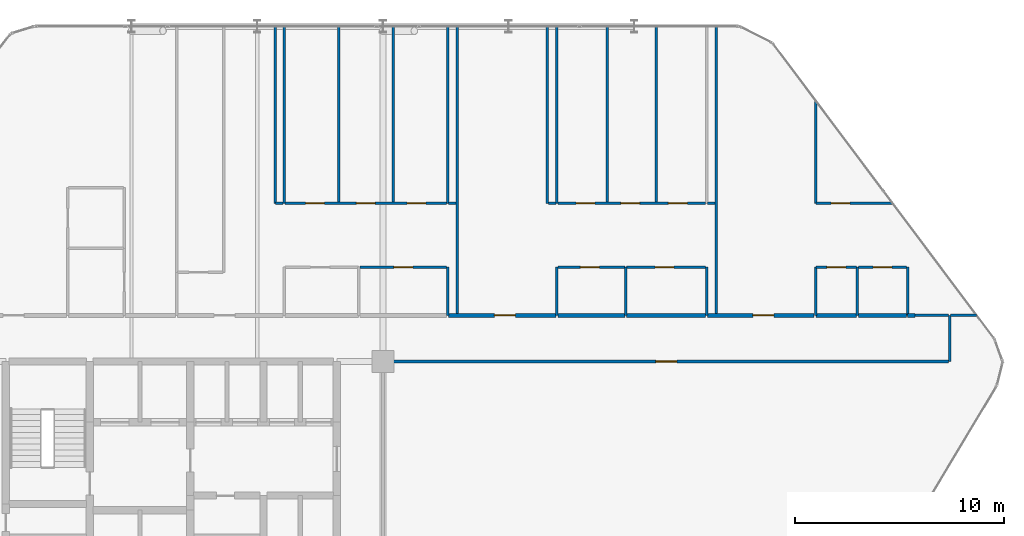
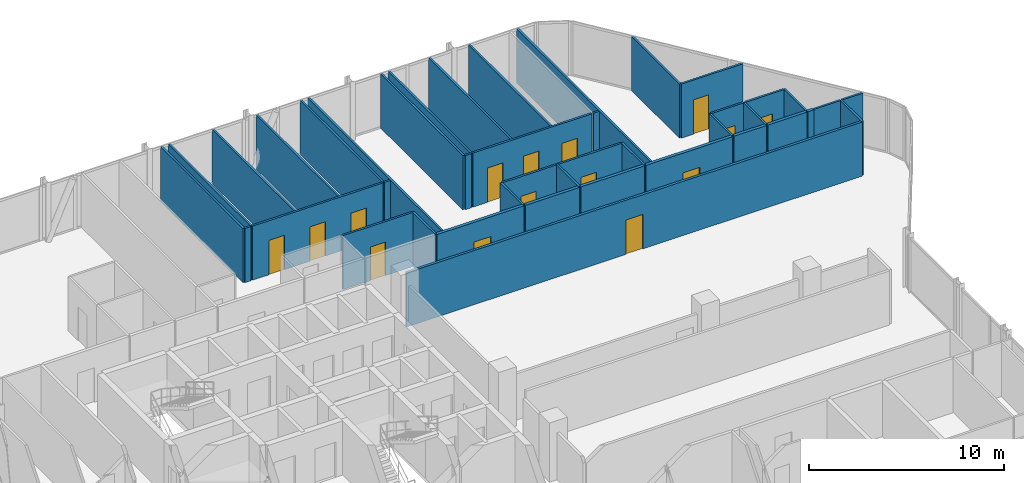
# One storey, part 27 of 29: 42 walls, 15 doors, 15 openings.
"""IFC4 building model written with IfcOpenShell, lengths in metres."""

from ifc_helpers import new_model, si_unit, direction, frame, frame_2d, origin, place, context, subcontext, project, spatial, rectangle, extrude, material, layer, layer_set, type_object, element, fill, save


model = new_model("IFC4")

# Units and contexts
model_context = context("Model", 3, precision=1e-05, world=origin(), true_north=direction((0.0, 1.0)))
body_context = subcontext(model_context, "Body", "Model", "MODEL_VIEW")
ifc_project = project(units=[si_unit("LENGTHUNIT", "METRE"), si_unit("AREAUNIT", "SQUARE_METRE"), si_unit("VOLUMEUNIT", "CUBIC_METRE"), si_unit("PLANEANGLEUNIT", "RADIAN"), si_unit("MASSUNIT", "GRAM", prefix="KILO")], contexts=[model_context])

# Site, building, storey
site_placement = place(None, origin())
site = spatial("IfcSite", under=ifc_project, at=site_placement, CompositionType="ELEMENT")
building_placement = place(site_placement, origin())
building = spatial("IfcBuilding", under=site, at=building_placement, Name="Keshet Zoharim Tower", CompositionType="ELEMENT")
storey_placement = place(building_placement, frame((0.0, 0.0, 105.699951171875)))
storey = spatial("IfcBuildingStorey", under=building, at=storey_placement, Name="L25", CompositionType="ELEMENT", Elevation=105.699951171875)

# Wall, opening, door
ifc_material_1 = material(Name="Gypsum Plasterboard", Category="gypsum")
ifc_layer_1 = layer(ifc_material_1, 0.14990234375)
ifc_layer_set_1 = layer_set([ifc_layer_1], Name="Gypsum Plasterboard")
wall_type_1 = type_object("IfcWallType", Name="WL-CLIN-150", PredefinedType="STANDARD", material=ifc_layer_set_1)
wall_1_placement = place(storey_placement, frame((33.070068359375, 37.89990234375, 0.0), z_axis=(0.0, 0.0, 1.0), x_axis=(1.0, 0.0, 0.0)))
wall_1 = element("IfcWall", 1, at=wall_1_placement, inside=storey, type_object=wall_type_1, Name="L25 Interior Wall 178", PredefinedType="STANDARD", context=body_context, shape_type="SweptSolid", body=[
    extrude(rectangle(XDim=26.934814453125, YDim=0.14990234375, at=frame_2d((13.46728515625, 0.0))), origin(), (0.0, 0.0, 1.0), 3.385009765625),
])
opening_1_placement = place(wall_1_placement, frame((12.9599609375, 0.0, 0.0)))
opening_1 = element("IfcOpeningElement", 2, at=opening_1_placement, cuts=wall_1, Name="Opening D-F310", PredefinedType="OPENING", context=body_context, shape_type="SweptSolid", body=[
    extrude(rectangle(XDim=1.0, YDim=2.14990234375, at=frame_2d((0.5, 1.074951171875))), frame((0.0, 0.0849609375, 0.0), z_axis=(0.0, -1.0, 0.0), x_axis=(1.0, 0.0, 0.0)), (0.0, 0.0, 1.0), 0.169921875),
])
ifc_material_2 = material(Name="Hardwood Timber", Category="wood")
door_type_1 = type_object("IfcDoorType", Name="DR-FD30-100", OperationType="NOTDEFINED", PredefinedType="DOOR", material=ifc_material_2)
door_1_placement = place(opening_1_placement, origin())
door_1 = element("IfcDoor", 3, at=door_1_placement, inside=storey, type_object=door_type_1, Name="L25 North East Residents Services Suite Door 1", OperationType="SINGLE_SWING_LEFT", OverallHeight=2.14990234375, OverallWidth=1.0, PredefinedType="DOOR", context=body_context, shape_type="SweptSolid", body=[
    extrude(rectangle(XDim=1.0, YDim=2.14990234375, at=frame_2d((0.5, 1.074951171875))), frame((0.0, 0.02490234375, 0.0), z_axis=(0.0, -1.0, 0.0), x_axis=(1.0, 0.0, 0.0)), (0.0, 0.0, 1.0), 0.050048828125),
])
fill(opening_1, door_1)

ifc_layer_2 = layer(ifc_material_1, 0.179931640625)
ifc_layer_set_2 = layer_set([ifc_layer_2], Name="Gypsum Plasterboard")
wall_type_2 = type_object("IfcWallType", Name="WL-CORR-180", PredefinedType="STANDARD", material=ifc_layer_set_2)
wall_2_placement = place(storey_placement, frame((36.125, 40.10009765625, 0.0), z_axis=(0.0, 0.0, 1.0), x_axis=(1.0, 0.0, 0.0)))
wall_2 = element("IfcWall", 4, at=wall_2_placement, inside=storey, type_object=wall_type_2, Name="L25 Interior Wall 187", PredefinedType="STANDARD", context=body_context, shape_type="SweptSolid", body=[
    extrude(rectangle(XDim=5.139892578125, YDim=0.179931640625, at=frame_2d((2.56982421875, 0.0))), origin(), (0.0, 0.0, 1.0), 3.385009765625),
])
opening_2_placement = place(wall_2_placement, frame((2.197998046875, 0.0, 0.0)))
opening_2 = element("IfcOpeningElement", 5, at=opening_2_placement, cuts=wall_2, Name="Opening D-F310", PredefinedType="OPENING", context=body_context, shape_type="SweptSolid", body=[
    extrude(rectangle(XDim=1.0, YDim=2.14990234375, at=frame_2d((0.5, 1.074951171875))), frame((0.0, 0.10009765625, 0.0), z_axis=(0.0, -1.0, 0.0), x_axis=(1.0, 0.0, 0.0)), (0.0, 0.0, 1.0), 0.199951171875),
])
door_2_placement = place(opening_2_placement, origin())
door_2 = element("IfcDoor", 6, at=door_2_placement, inside=storey, type_object=door_type_1, Name="Apartment 2506 Entrance Door", OperationType="SINGLE_SWING_RIGHT", OverallHeight=2.14990234375, OverallWidth=1.0, PredefinedType="DOOR", context=body_context, shape_type="SweptSolid", body=[
    extrude(rectangle(XDim=1.0, YDim=2.14990234375, at=frame_2d((0.5, 1.074951171875))), frame((0.0, 0.02490234375, 0.0), z_axis=(0.0, -1.0, 0.0), x_axis=(1.0, 0.0, 0.0)), (0.0, 0.0, 1.0), 0.050048828125),
])
fill(opening_2, door_2)

# Walls
wall_3_placement = place(storey_placement, frame((41.35498046875, 40.10009765625, 0.0), z_axis=(0.0, 0.0, 1.0), x_axis=(1.0, 0.0, 0.0)))
element("IfcWall", 7, at=wall_3_placement, inside=storey, type_object=wall_type_2, Name="L25 Interior Wall 188", PredefinedType="STANDARD", context=body_context, shape_type="SweptSolid", body=[
    extrude(rectangle(XDim=3.18994140625, YDim=0.179931640625, at=frame_2d((1.594970703125, 0.0))), origin(), (0.0, 0.0, 1.0), 3.385009765625),
])
wall_4_placement = place(storey_placement, frame((44.635009765625, 40.10009765625, 0.0), z_axis=(0.0, 0.0, 1.0), x_axis=(1.0, 0.0, 0.0)))
element("IfcWall", 8, at=wall_4_placement, inside=storey, type_object=wall_type_2, Name="L25 Interior Wall 189", PredefinedType="STANDARD", context=body_context, shape_type="SweptSolid", body=[
    extrude(rectangle(XDim=3.760009765625, YDim=0.179931640625, at=frame_2d((1.8798828125, 0.0))), origin(), (0.0, 0.0, 1.0), 3.385009765625),
])

# Wall, opening, door
wall_5_placement = place(storey_placement, frame((48.485107421875, 40.10009765625, 0.0), z_axis=(0.0, 0.0, 1.0), x_axis=(1.0, 0.0, 0.0)))
wall_5 = element("IfcWall", 9, at=wall_5_placement, inside=storey, type_object=wall_type_2, Name="L25 Interior Wall 190", PredefinedType="STANDARD", context=body_context, shape_type="SweptSolid", body=[
    extrude(rectangle(XDim=5.099853515625, YDim=0.179931640625, at=frame_2d((2.5498046875, 0.0))), origin(), (0.0, 0.0, 1.0), 3.385009765625),
])
opening_3_placement = place(wall_5_placement, frame((2.178955078125, 0.0, 0.0)))
opening_3 = element("IfcOpeningElement", 10, at=opening_3_placement, cuts=wall_5, Name="Opening D-F310", PredefinedType="OPENING", context=body_context, shape_type="SweptSolid", body=[
    extrude(rectangle(XDim=1.0, YDim=2.14990234375, at=frame_2d((0.5, 1.074951171875))), frame((0.0, 0.10009765625, 0.0), z_axis=(0.0, -1.0, 0.0), x_axis=(1.0, 0.0, 0.0)), (0.0, 0.0, 1.0), 0.199951171875),
])
door_3_placement = place(opening_3_placement, origin())
door_3 = element("IfcDoor", 11, at=door_3_placement, inside=storey, type_object=door_type_1, Name="Apartment 2507 Entrance Door", OperationType="SINGLE_SWING_LEFT", OverallHeight=2.14990234375, OverallWidth=1.0, PredefinedType="DOOR", context=body_context, shape_type="SweptSolid", body=[
    extrude(rectangle(XDim=1.0, YDim=2.14990234375, at=frame_2d((0.5, 1.074951171875))), frame((0.0, 0.02490234375, 0.0), z_axis=(0.0, -1.0, 0.0), x_axis=(1.0, 0.0, 0.0)), (0.0, 0.0, 1.0), 0.050048828125),
])
fill(opening_3, door_3)

# Walls
wall_6_placement = place(storey_placement, frame((53.675048828125, 40.10009765625, 0.0), z_axis=(0.0, 0.0, 1.0), x_axis=(1.0, 0.0, 0.0)))
element("IfcWall", 12, at=wall_6_placement, inside=storey, type_object=wall_type_2, Name="L25 Interior Wall 191", PredefinedType="STANDARD", context=body_context, shape_type="SweptSolid", body=[
    extrude(rectangle(XDim=1.93798828125, YDim=0.179931640625, at=frame_2d((0.968994140625, 0.0))), origin(), (0.0, 0.0, 1.0), 3.385009765625),
])
wall_7_placement = place(storey_placement, frame((55.702880859375, 40.10009765625, 0.0), z_axis=(0.0, 0.0, 1.0), x_axis=(1.0, 0.0, 0.0)))
element("IfcWall", 13, at=wall_7_placement, inside=storey, type_object=wall_type_2, Name="L25 Interior Wall 192", PredefinedType="STANDARD", context=body_context, shape_type="SweptSolid", body=[
    extrude(rectangle(XDim=2.2900390625, YDim=0.179931640625, at=frame_2d((1.14501953125, 0.0))), origin(), (0.0, 0.0, 1.0), 3.385009765625),
])
wall_8_placement = place(storey_placement, frame((58.050048828125, 40.10009765625, 0.0), z_axis=(0.0, 0.0, 1.0), x_axis=(1.0, 0.0, 0.0)))
element("IfcWall", 14, at=wall_8_placement, inside=storey, type_object=wall_type_2, Name="L25 Interior Wall 193", PredefinedType="STANDARD", context=body_context, shape_type="SweptSolid", body=[
    extrude(rectangle(XDim=0.349853515625, YDim=0.179931640625, at=frame_2d((0.1748046875, 0.0))), origin(), (0.0, 0.0, 1.0), 3.385009765625),
])
ifc_layer_3 = layer(ifc_material_1, 0.1201171875)
ifc_layer_set_3 = layer_set([ifc_layer_3], Name="Gypsum Plasterboard")
wall_type_3 = type_object("IfcWallType", Name="WL-PART-120", PredefinedType="PARTITIONING", material=ifc_layer_set_3)
for number, where, z_axis, x_axis, name in (
    (15, (27.85009765625, 45.449951171875, 0.0), (0.0, 0.0, 1.0), (0.0, 1.0, 0.0), "L25 Interior Wall 052"),
    (16, (28.300048828125, 45.449951171875, 0.0), (0.0, 0.0, 1.0), (0.0, 1.0, 0.0), "L25 Interior Wall 054"),
    (17, (30.89990234375, 45.449951171875, 0.0), (0.0, 0.0, 1.0), (0.0, 1.0, 0.0), "L25 Interior Wall 065"),
    (18, (33.5, 45.449951171875, 0.0), (0.0, 0.0, 1.0), (0.0, 1.0, 0.0), "L25 Interior Wall 072"),
    (19, (36.10009765625, 45.449951171875, 0.0), (0.0, 0.0, 1.0), (0.0, 1.0, 0.0), "L25 Interior Wall 076"),
):
    element("IfcWall", number, at=place(storey_placement, frame(where, z_axis=z_axis, x_axis=x_axis)), inside=storey, type_object=wall_type_3, Name=name, PredefinedType="PARTITIONING", context=body_context, shape_type="SweptSolid", body=[
        extrude(rectangle(XDim=8.43994140625, YDim=0.1201171875, at=frame_2d((4.219970703125, 0.0))), origin(), (0.0, 0.0, 1.0), 3.385009765625),
    ])
wall_9_placement = place(storey_placement, frame((36.550048828125, 40.10009765625, 0.0), z_axis=(0.0, 0.0, 1.0), x_axis=(0.0, 1.0, 0.0)))
element("IfcWall", 20, at=wall_9_placement, inside=storey, type_object=wall_type_3, Name="L25 Interior Wall 077", PredefinedType="PARTITIONING", context=body_context, shape_type="SweptSolid", body=[
    extrude(rectangle(XDim=13.789794921875, YDim=0.1201171875, at=frame_2d((6.89501953125, 0.0))), origin(), (0.0, 0.0, 1.0), 3.385009765625),
])
wall_10_placement = place(storey_placement, frame((40.85009765625, 45.449951171875, 0.0), z_axis=(0.0, 0.0, 1.0), x_axis=(0.0, 1.0, 0.0)))
element("IfcWall", 21, at=wall_10_placement, inside=storey, type_object=wall_type_3, Name="L25 Interior Wall 082", PredefinedType="PARTITIONING", context=body_context, shape_type="SweptSolid", body=[
    extrude(rectangle(XDim=8.43994140625, YDim=0.1201171875, at=frame_2d((4.219970703125, 0.0))), origin(), (0.0, 0.0, 1.0), 3.385009765625),
])
wall_11_placement = place(storey_placement, frame((41.300048828125, 40.10009765625, 0.0), z_axis=(0.0, 0.0, 1.0), x_axis=(0.0, 1.0, 0.0)))
element("IfcWall", 22, at=wall_11_placement, inside=storey, type_object=wall_type_3, Name="L25 Interior Wall 086", PredefinedType="PARTITIONING", context=body_context, shape_type="SweptSolid", body=[
    extrude(rectangle(XDim=2.2998046875, YDim=0.1201171875, at=frame_2d((1.14990234375, 0.0))), origin(), (0.0, 0.0, 1.0), 3.385009765625),
])
for number, where, z_axis, x_axis, name in (
    (23, (41.300048828125, 45.449951171875, 0.0), (0.0, 0.0, 1.0), (0.0, 1.0, 0.0), "L25 Interior Wall 087"),
    (24, (43.699951171875, 45.449951171875, 0.0), (0.0, 0.0, 1.0), (0.0, 1.0, 0.0), "L25 Interior Wall 089"),
    (25, (46.050048828125, 45.449951171875, 0.0), (0.0, 0.0, 1.0), (0.0, 1.0, 0.0), "L25 Interior Wall 092"),
):
    element("IfcWall", number, at=place(storey_placement, frame(where, z_axis=z_axis, x_axis=x_axis)), inside=storey, type_object=wall_type_3, Name=name, PredefinedType="PARTITIONING", context=body_context, shape_type="SweptSolid", body=[
        extrude(rectangle(XDim=8.43994140625, YDim=0.1201171875, at=frame_2d((4.219970703125, 0.0))), origin(), (0.0, 0.0, 1.0), 3.385009765625),
    ])
wall_12_placement = place(storey_placement, frame((48.89990234375, 40.10009765625, 0.0), z_axis=(0.0, 0.0, 1.0), x_axis=(0.0, 1.0, 0.0)))
element("IfcWall", 26, at=wall_12_placement, inside=storey, type_object=wall_type_3, Name="L25 Interior Wall 098", PredefinedType="PARTITIONING", context=body_context, shape_type="SweptSolid", body=[
    extrude(rectangle(XDim=13.789794921875, YDim=0.1201171875, at=frame_2d((6.89501953125, 0.0))), origin(), (0.0, 0.0, 1.0), 3.385009765625),
])
wall_13_placement = place(storey_placement, frame((53.64990234375, 40.10009765625, 0.0), z_axis=(0.0, 0.0, 1.0), x_axis=(0.0, 1.0, 0.0)))
element("IfcWall", 27, at=wall_13_placement, inside=storey, type_object=wall_type_3, Name="L25 Interior Wall 102", PredefinedType="PARTITIONING", context=body_context, shape_type="SweptSolid", body=[
    extrude(rectangle(XDim=2.2998046875, YDim=0.1201171875, at=frame_2d((1.14990234375, 0.0))), origin(), (0.0, 0.0, 1.0), 3.385009765625),
])
wall_14_placement = place(storey_placement, frame((53.64990234375, 45.449951171875, 0.0), z_axis=(0.0, 0.0, 1.0), x_axis=(0.0, 1.0, 0.0)))
element("IfcWall", 28, at=wall_14_placement, inside=storey, type_object=wall_type_3, Name="L25 Interior Wall 103", PredefinedType="PARTITIONING", context=body_context, shape_type="SweptSolid", body=[
    extrude(rectangle(XDim=4.906982421875, YDim=0.1201171875, at=frame_2d((2.45361328125, 0.0))), origin(), (0.0, 0.0, 1.0), 3.385009765625),
])
wall_15_placement = place(storey_placement, frame((60.050048828125, 37.889892578125, 0.0), z_axis=(0.0, 0.0, 1.0), x_axis=(0.0, 1.0, 0.0)))
element("IfcWall", 29, at=wall_15_placement, inside=storey, type_object=wall_type_3, Name="L25 Interior Wall 110", PredefinedType="PARTITIONING", context=body_context, shape_type="SweptSolid", body=[
    extrude(rectangle(XDim=2.2001953125, YDim=0.1201171875, at=frame_2d((1.10009765625, 0.0))), origin(), (0.0, 0.0, 1.0), 3.385009765625),
])
wall_16_placement = place(storey_placement, frame((58.39990234375, 40.10009765625, 0.0), z_axis=(0.0, 0.0, 1.0), x_axis=(1.0, 0.0, 0.0)))
element("IfcWall", 30, at=wall_16_placement, inside=storey, type_object=wall_type_3, Name="L25 Interior Wall 194", PredefinedType="PARTITIONING", context=body_context, shape_type="SweptSolid", body=[
    extrude(rectangle(XDim=1.60498046875, YDim=0.1201171875, at=frame_2d((0.802490234375, 0.0))), origin(), (0.0, 0.0, 1.0), 3.385009765625),
])
wall_17_placement = place(storey_placement, frame((60.094970703125, 40.10009765625, 0.0), z_axis=(0.0, 0.0, 1.0), x_axis=(1.0, 0.0, 0.0)))
element("IfcWall", 31, at=wall_17_placement, inside=storey, type_object=wall_type_3, Name="L25 Interior Wall 195", PredefinedType="PARTITIONING", context=body_context, shape_type="SweptSolid", body=[
    extrude(rectangle(XDim=1.2451171875, YDim=0.1201171875, at=frame_2d((0.62255859375, 0.0))), origin(), (0.0, 0.0, 1.0), 3.385009765625),
])

# Wall, opening, door
wall_18_placement = place(storey_placement, frame((41.35498046875, 42.39990234375, 0.0), z_axis=(0.0, 0.0, 1.0), x_axis=(1.0, 0.0, 0.0)))
wall_18 = element("IfcWall", 32, at=wall_18_placement, inside=storey, type_object=wall_type_3, Name="L25 Interior Wall 199", PredefinedType="PARTITIONING", context=body_context, shape_type="SweptSolid", body=[
    extrude(rectangle(XDim=3.18994140625, YDim=0.1201171875, at=frame_2d((1.594970703125, 0.0))), origin(), (0.0, 0.0, 1.0), 3.385009765625),
])
opening_4_placement = place(wall_18_placement, frame((1.072998046875, 0.0, 0.0)))
opening_4 = element("IfcOpeningElement", 33, at=opening_4_placement, cuts=wall_18, Name="Opening D-IN90", PredefinedType="OPENING", context=body_context, shape_type="SweptSolid", body=[
    extrude(rectangle(XDim=0.89990234375, YDim=2.14990234375, at=frame_2d((0.449951171875, 1.074951171875))), frame((0.0, 0.070068359375, 0.0), z_axis=(0.0, -1.0, 0.0), x_axis=(1.0, 0.0, 0.0)), (0.0, 0.0, 1.0), 0.14013671875),
])
door_type_2 = type_object("IfcDoorType", Name="DR-INT-090", OperationType="NOTDEFINED", PredefinedType="DOOR", material=ifc_material_2)
door_4_placement = place(opening_4_placement, origin())
door_4 = element("IfcDoor", 34, at=door_4_placement, inside=storey, type_object=door_type_2, Name="Apartment 2506 Kitchen Door", OperationType="SINGLE_SWING_LEFT", OverallHeight=2.14990234375, OverallWidth=0.89990234375, PredefinedType="DOOR", context=body_context, shape_type="SweptSolid", body=[
    extrude(rectangle(XDim=0.89990234375, YDim=2.14990234375, at=frame_2d((0.449951171875, 1.074951171875))), frame((0.0, 0.02490234375, 0.0), z_axis=(0.0, -1.0, 0.0), x_axis=(1.0, 0.0, 0.0)), (0.0, 0.0, 1.0), 0.050048828125),
])
fill(opening_4, door_4)

wall_19_placement = place(storey_placement, frame((53.675048828125, 42.39990234375, 0.0), z_axis=(0.0, 0.0, 1.0), x_axis=(1.0, 0.0, 0.0)))
wall_19 = element("IfcWall", 35, at=wall_19_placement, inside=storey, type_object=wall_type_3, Name="L25 Interior Wall 201", PredefinedType="PARTITIONING", context=body_context, shape_type="SweptSolid", body=[
    extrude(rectangle(XDim=1.93798828125, YDim=0.1201171875, at=frame_2d((0.968994140625, 0.0))), origin(), (0.0, 0.0, 1.0), 3.385009765625),
])
opening_5_placement = place(wall_19_placement, frame((0.51904296875, 0.0, 0.0)))
opening_5 = element("IfcOpeningElement", 36, at=opening_5_placement, cuts=wall_19, Name="Opening D-IN90", PredefinedType="OPENING", context=body_context, shape_type="SweptSolid", body=[
    extrude(rectangle(XDim=0.89990234375, YDim=2.14990234375, at=frame_2d((0.449951171875, 1.074951171875))), frame((0.0, 0.070068359375, 0.0), z_axis=(0.0, -1.0, 0.0), x_axis=(1.0, 0.0, 0.0)), (0.0, 0.0, 1.0), 0.14013671875),
])
door_5_placement = place(opening_5_placement, origin())
door_5 = element("IfcDoor", 37, at=door_5_placement, inside=storey, type_object=door_type_2, Name="Apartment 2507 Kitchen Door", OperationType="SINGLE_SWING_LEFT", OverallHeight=2.14990234375, OverallWidth=0.89990234375, PredefinedType="DOOR", context=body_context, shape_type="SweptSolid", body=[
    extrude(rectangle(XDim=0.89990234375, YDim=2.14990234375, at=frame_2d((0.449951171875, 1.074951171875))), frame((0.0, 0.02490234375, 0.0), z_axis=(0.0, -1.0, 0.0), x_axis=(1.0, 0.0, 0.0)), (0.0, 0.0, 1.0), 0.050048828125),
])
fill(opening_5, door_5)

# Wall
wall_20_placement = place(storey_placement, frame((27.875, 45.449951171875, 0.0), z_axis=(0.0, 0.0, 1.0), x_axis=(1.0, 0.0, 0.0)))
element("IfcWall", 38, at=wall_20_placement, inside=storey, type_object=wall_type_3, Name="L25 Interior Wall 204", PredefinedType="PARTITIONING", context=body_context, shape_type="SweptSolid", body=[
    extrude(rectangle(XDim=0.360107421875, YDim=0.1201171875, at=frame_2d((0.18017578125, 0.0))), origin(), (0.0, 0.0, 1.0), 3.385009765625),
])

# Wall, openings, doors
wall_21_placement = place(storey_placement, frame((28.324951171875, 45.449951171875, 0.0), z_axis=(0.0, 0.0, 1.0), x_axis=(1.0, 0.0, 0.0)))
wall_21 = element("IfcWall", 39, at=wall_21_placement, inside=storey, type_object=wall_type_3, Name="L25 Interior Wall 205", PredefinedType="PARTITIONING", context=body_context, shape_type="SweptSolid", body=[
    extrude(rectangle(XDim=7.7099609375, YDim=0.1201171875, at=frame_2d((3.85498046875, 0.0))), origin(), (0.0, 0.0, 1.0), 3.385009765625),
])
opening_6_placement = place(wall_21_placement, frame((0.97998046875, 0.0, 0.0)))
opening_6 = element("IfcOpeningElement", 40, at=opening_6_placement, cuts=wall_21, Name="Opening D-IN90", PredefinedType="OPENING", context=body_context, shape_type="SweptSolid", body=[
    extrude(rectangle(XDim=0.89990234375, YDim=2.14990234375, at=frame_2d((0.449951171875, 1.074951171875))), frame((0.0, 0.070068359375, 0.0), z_axis=(0.0, -1.0, 0.0), x_axis=(1.0, 0.0, 0.0)), (0.0, 0.0, 1.0), 0.14013671875),
])
opening_7_placement = place(wall_21_placement, frame((3.405029296875, 0.0, 0.0)))
opening_7 = element("IfcOpeningElement", 41, at=opening_7_placement, cuts=wall_21, Name="Opening D-IN90", PredefinedType="OPENING", context=body_context, shape_type="SweptSolid", body=[
    extrude(rectangle(XDim=0.89990234375, YDim=2.14990234375, at=frame_2d((0.449951171875, 1.074951171875))), frame((0.0, 0.070068359375, 0.0), z_axis=(0.0, -1.0, 0.0), x_axis=(1.0, 0.0, 0.0)), (0.0, 0.0, 1.0), 0.14013671875),
])
opening_8_placement = place(wall_21_placement, frame((5.830078125, 0.0, 0.0)))
opening_8 = element("IfcOpeningElement", 42, at=opening_8_placement, cuts=wall_21, Name="Opening D-IN90", PredefinedType="OPENING", context=body_context, shape_type="SweptSolid", body=[
    extrude(rectangle(XDim=0.89990234375, YDim=2.14990234375, at=frame_2d((0.449951171875, 1.074951171875))), frame((0.0, 0.070068359375, 0.0), z_axis=(0.0, -1.0, 0.0), x_axis=(1.0, 0.0, 0.0)), (0.0, 0.0, 1.0), 0.14013671875),
])
door_6_placement = place(opening_6_placement, origin())
door_6 = element("IfcDoor", 43, at=door_6_placement, inside=storey, type_object=door_type_2, Name="Apartment 2505 Bedroom 1 Door", OperationType="SINGLE_SWING_LEFT", OverallHeight=2.14990234375, OverallWidth=0.89990234375, PredefinedType="DOOR", context=body_context, shape_type="SweptSolid", body=[
    extrude(rectangle(XDim=0.89990234375, YDim=2.14990234375, at=frame_2d((0.449951171875, 1.074951171875))), frame((0.0, 0.02490234375, 0.0), z_axis=(0.0, -1.0, 0.0), x_axis=(1.0, 0.0, 0.0)), (0.0, 0.0, 1.0), 0.050048828125),
])
fill(opening_6, door_6)
door_7_placement = place(opening_7_placement, origin())
door_7 = element("IfcDoor", 44, at=door_7_placement, inside=storey, type_object=door_type_2, Name="Apartment 2505 Bedroom 2 Door", OperationType="SINGLE_SWING_RIGHT", OverallHeight=2.14990234375, OverallWidth=0.89990234375, PredefinedType="DOOR", context=body_context, shape_type="SweptSolid", body=[
    extrude(rectangle(XDim=0.89990234375, YDim=2.14990234375, at=frame_2d((0.449951171875, 1.074951171875))), frame((0.0, 0.02490234375, 0.0), z_axis=(0.0, -1.0, 0.0), x_axis=(1.0, 0.0, 0.0)), (0.0, 0.0, 1.0), 0.050048828125),
])
fill(opening_7, door_7)
door_8_placement = place(opening_8_placement, origin())
door_8 = element("IfcDoor", 45, at=door_8_placement, inside=storey, type_object=door_type_2, Name="Apartment 2505 Bedroom 3 Door", OperationType="SINGLE_SWING_LEFT", OverallHeight=2.14990234375, OverallWidth=0.89990234375, PredefinedType="DOOR", context=body_context, shape_type="SweptSolid", body=[
    extrude(rectangle(XDim=0.89990234375, YDim=2.14990234375, at=frame_2d((0.449951171875, 1.074951171875))), frame((0.0, 0.02490234375, 0.0), z_axis=(0.0, -1.0, 0.0), x_axis=(1.0, 0.0, 0.0)), (0.0, 0.0, 1.0), 0.050048828125),
])
fill(opening_8, door_8)

# Walls
wall_22_placement = place(storey_placement, frame((36.125, 45.449951171875, 0.0), z_axis=(0.0, 0.0, 1.0), x_axis=(1.0, 0.0, 0.0)))
element("IfcWall", 46, at=wall_22_placement, inside=storey, type_object=wall_type_3, Name="L25 Interior Wall 206", PredefinedType="PARTITIONING", context=body_context, shape_type="SweptSolid", body=[
    extrude(rectangle(XDim=0.360107421875, YDim=0.1201171875, at=frame_2d((0.18017578125, 0.0))), origin(), (0.0, 0.0, 1.0), 3.385009765625),
])
wall_23_placement = place(storey_placement, frame((40.905029296875, 45.449951171875, 0.0), z_axis=(0.0, 0.0, 1.0), x_axis=(1.0, 0.0, 0.0)))
element("IfcWall", 47, at=wall_23_placement, inside=storey, type_object=wall_type_3, Name="L25 Interior Wall 207", PredefinedType="PARTITIONING", context=body_context, shape_type="SweptSolid", body=[
    extrude(rectangle(XDim=0.35986328125, YDim=0.1201171875, at=frame_2d((0.179931640625, 0.0))), origin(), (0.0, 0.0, 1.0), 3.385009765625),
])

# Wall, openings, doors
wall_24_placement = place(storey_placement, frame((41.35498046875, 45.449951171875, 0.0), z_axis=(0.0, 0.0, 1.0), x_axis=(1.0, 0.0, 0.0)))
wall_24 = element("IfcWall", 48, at=wall_24_placement, inside=storey, type_object=wall_type_3, Name="L25 Interior Wall 208", PredefinedType="PARTITIONING", context=body_context, shape_type="SweptSolid", body=[
    extrude(rectangle(XDim=7.0400390625, YDim=0.1201171875, at=frame_2d((3.52001953125, 0.0))), origin(), (0.0, 0.0, 1.0), 3.385009765625),
])
opening_9_placement = place(wall_24_placement, frame((0.867919921875, 0.0, 0.0)))
opening_9 = element("IfcOpeningElement", 49, at=opening_9_placement, cuts=wall_24, Name="Opening D-IN90", PredefinedType="OPENING", context=body_context, shape_type="SweptSolid", body=[
    extrude(rectangle(XDim=0.89990234375, YDim=2.14990234375, at=frame_2d((0.449951171875, 1.074951171875))), frame((0.0, 0.070068359375, 0.0), z_axis=(0.0, -1.0, 0.0), x_axis=(1.0, 0.0, 0.0)), (0.0, 0.0, 1.0), 0.14013671875),
])
opening_10_placement = place(wall_24_placement, frame((2.9990234375, 0.0, 0.0)))
opening_10 = element("IfcOpeningElement", 50, at=opening_10_placement, cuts=wall_24, Name="Opening D-IN90", PredefinedType="OPENING", context=body_context, shape_type="SweptSolid", body=[
    extrude(rectangle(XDim=0.89990234375, YDim=2.14990234375, at=frame_2d((0.449951171875, 1.074951171875))), frame((0.0, 0.070068359375, 0.0), z_axis=(0.0, -1.0, 0.0), x_axis=(1.0, 0.0, 0.0)), (0.0, 0.0, 1.0), 0.14013671875),
])
opening_11_placement = place(wall_24_placement, frame((5.27197265625, 0.0, 0.0)))
opening_11 = element("IfcOpeningElement", 51, at=opening_11_placement, cuts=wall_24, Name="Opening D-IN90", PredefinedType="OPENING", context=body_context, shape_type="SweptSolid", body=[
    extrude(rectangle(XDim=0.89990234375, YDim=2.14990234375, at=frame_2d((0.449951171875, 1.074951171875))), frame((0.0, 0.070068359375, 0.0), z_axis=(0.0, -1.0, 0.0), x_axis=(1.0, 0.0, 0.0)), (0.0, 0.0, 1.0), 0.14013671875),
])
door_9_placement = place(opening_9_placement, origin())
door_9 = element("IfcDoor", 52, at=door_9_placement, inside=storey, type_object=door_type_2, Name="Apartment 2506 Bedroom 1 Door", OperationType="SINGLE_SWING_RIGHT", OverallHeight=2.14990234375, OverallWidth=0.89990234375, PredefinedType="DOOR", context=body_context, shape_type="SweptSolid", body=[
    extrude(rectangle(XDim=0.89990234375, YDim=2.14990234375, at=frame_2d((0.449951171875, 1.074951171875))), frame((0.0, 0.02490234375, 0.0), z_axis=(0.0, -1.0, 0.0), x_axis=(1.0, 0.0, 0.0)), (0.0, 0.0, 1.0), 0.050048828125),
])
fill(opening_9, door_9)
door_10_placement = place(opening_10_placement, origin())
door_10 = element("IfcDoor", 53, at=door_10_placement, inside=storey, type_object=door_type_2, Name="Apartment 2506 Bedroom 2 Door", OperationType="SINGLE_SWING_LEFT", OverallHeight=2.14990234375, OverallWidth=0.89990234375, PredefinedType="DOOR", context=body_context, shape_type="SweptSolid", body=[
    extrude(rectangle(XDim=0.89990234375, YDim=2.14990234375, at=frame_2d((0.449951171875, 1.074951171875))), frame((0.0, 0.02490234375, 0.0), z_axis=(0.0, -1.0, 0.0), x_axis=(1.0, 0.0, 0.0)), (0.0, 0.0, 1.0), 0.050048828125),
])
fill(opening_10, door_10)
door_11_placement = place(opening_11_placement, origin())
door_11 = element("IfcDoor", 54, at=door_11_placement, inside=storey, type_object=door_type_2, Name="Apartment 2506 Bedroom 3 Door", OperationType="SINGLE_SWING_RIGHT", OverallHeight=2.14990234375, OverallWidth=0.89990234375, PredefinedType="DOOR", context=body_context, shape_type="SweptSolid", body=[
    extrude(rectangle(XDim=0.89990234375, YDim=2.14990234375, at=frame_2d((0.449951171875, 1.074951171875))), frame((0.0, 0.02490234375, 0.0), z_axis=(0.0, -1.0, 0.0), x_axis=(1.0, 0.0, 0.0)), (0.0, 0.0, 1.0), 0.050048828125),
])
fill(opening_11, door_11)

# Wall
wall_25_placement = place(storey_placement, frame((48.485107421875, 45.449951171875, 0.0), z_axis=(0.0, 0.0, 1.0), x_axis=(1.0, 0.0, 0.0)))
element("IfcWall", 55, at=wall_25_placement, inside=storey, type_object=wall_type_3, Name="L25 Interior Wall 209", PredefinedType="PARTITIONING", context=body_context, shape_type="SweptSolid", body=[
    extrude(rectangle(XDim=0.35986328125, YDim=0.1201171875, at=frame_2d((0.179931640625, 0.0))), origin(), (0.0, 0.0, 1.0), 3.385009765625),
])

# Wall, opening, door
wall_26_placement = place(storey_placement, frame((53.675048828125, 45.449951171875, 0.0), z_axis=(0.0, 0.0, 1.0), x_axis=(1.0, 0.0, 0.0)))
wall_26 = element("IfcWall", 56, at=wall_26_placement, inside=storey, type_object=wall_type_3, Name="L25 Interior Wall 210", PredefinedType="PARTITIONING", context=body_context, shape_type="SweptSolid", body=[
    extrude(rectangle(XDim=3.65283203125, YDim=0.1201171875, at=frame_2d((1.826416015625, 0.0))), origin(), (0.0, 0.0, 1.0), 3.385009765625),
])
opening_12_placement = place(wall_26_placement, frame((0.715087890625, 0.0, 0.0)))
opening_12 = element("IfcOpeningElement", 57, at=opening_12_placement, cuts=wall_26, Name="Opening D-IN90", PredefinedType="OPENING", context=body_context, shape_type="SweptSolid", body=[
    extrude(rectangle(XDim=0.89990234375, YDim=2.14990234375, at=frame_2d((0.449951171875, 1.074951171875))), frame((0.0, 0.070068359375, 0.0), z_axis=(0.0, -1.0, 0.0), x_axis=(1.0, 0.0, 0.0)), (0.0, 0.0, 1.0), 0.14013671875),
])
door_12_placement = place(opening_12_placement, origin())
door_12 = element("IfcDoor", 58, at=door_12_placement, inside=storey, type_object=door_type_2, Name="Apartment 2507 Bedroom 1 Door", OperationType="SINGLE_SWING_LEFT", OverallHeight=2.14990234375, OverallWidth=0.89990234375, PredefinedType="DOOR", context=body_context, shape_type="SweptSolid", body=[
    extrude(rectangle(XDim=0.89990234375, YDim=2.14990234375, at=frame_2d((0.449951171875, 1.074951171875))), frame((0.0, 0.02490234375, 0.0), z_axis=(0.0, -1.0, 0.0), x_axis=(1.0, 0.0, 0.0)), (0.0, 0.0, 1.0), 0.050048828125),
])
fill(opening_12, door_12)

# Walls
ifc_layer_4 = layer(ifc_material_1, 0.1201171875)
ifc_layer_set_4 = layer_set([ifc_layer_4], Name="Gypsum Plasterboard")
wall_type_4 = type_object("IfcWallType", Name="WL-WET-120", PredefinedType="PARTITIONING", material=ifc_layer_set_4)
for number, where, z_axis, x_axis, name in (
    (59, (36.10009765625, 40.10009765625, 0.0), (0.0, 0.0, 1.0), (0.0, 1.0, 0.0), "L25 Interior Wall 075"),
    (60, (44.60009765625, 40.10009765625, 0.0), (0.0, 0.0, 1.0), (0.0, 1.0, 0.0), "L25 Interior Wall 090"),
    (61, (48.449951171875, 40.10009765625, 0.0), (0.0, 0.0, 1.0), (0.0, 1.0, 0.0), "L25 Interior Wall 095"),
    (62, (55.64990234375, 40.10009765625, 0.0), (0.0, 0.0, 1.0), (0.0, 1.0, 0.0), "L25 Interior Wall 107"),
    (63, (58.050048828125, 40.10009765625, 0.0), (0.0, 0.0, 1.0), (0.0, 1.0, 0.0), "L25 Interior Wall 109"),
):
    element("IfcWall", number, at=place(storey_placement, frame(where, z_axis=z_axis, x_axis=x_axis)), inside=storey, type_object=wall_type_4, Name=name, PredefinedType="PARTITIONING", context=body_context, shape_type="SweptSolid", body=[
        extrude(rectangle(XDim=2.2998046875, YDim=0.1201171875, at=frame_2d((1.14990234375, 0.0))), origin(), (0.0, 0.0, 1.0), 3.385009765625),
    ])

# Wall, opening, door
wall_27_placement = place(storey_placement, frame((31.9130859375, 42.39990234375, 0.0), z_axis=(0.0, 0.0, 1.0), x_axis=(1.0, 0.0, 0.0)))
wall_27 = element("IfcWall", 64, at=wall_27_placement, inside=storey, type_object=wall_type_4, Name="L25 Interior Wall 198", PredefinedType="PARTITIONING", context=body_context, shape_type="SweptSolid", body=[
    extrude(rectangle(XDim=4.121826171875, YDim=0.1201171875, at=frame_2d((2.06103515625, 0.0))), origin(), (0.0, 0.0, 1.0), 3.385009765625),
])
opening_13_placement = place(wall_27_placement, frame((1.611083984375, 0.0, 0.0)))
opening_13 = element("IfcOpeningElement", 65, at=opening_13_placement, cuts=wall_27, Name="Opening D-WT90", PredefinedType="OPENING", context=body_context, shape_type="SweptSolid", body=[
    extrude(rectangle(XDim=0.89990234375, YDim=2.10009765625, at=frame_2d((0.449951171875, 1.050048828125))), frame((0.0, 0.070068359375, 0.0), z_axis=(0.0, -1.0, 0.0), x_axis=(1.0, 0.0, 0.0)), (0.0, 0.0, 1.0), 0.14013671875),
])
door_type_3 = type_object("IfcDoorType", Name="DR-WET-090", OperationType="NOTDEFINED", PredefinedType="DOOR", material=ifc_material_2)
door_13_placement = place(opening_13_placement, origin())
door_13 = element("IfcDoor", 66, at=door_13_placement, inside=storey, type_object=door_type_3, Name="Apartment 2505 Bathroom Door", OperationType="SINGLE_SWING_RIGHT", OverallHeight=2.10009765625, OverallWidth=0.89990234375, PredefinedType="DOOR", context=body_context, shape_type="SweptSolid", body=[
    extrude(rectangle(XDim=0.89990234375, YDim=2.10009765625, at=frame_2d((0.449951171875, 1.050048828125))), frame((0.0, 0.02490234375, 0.0), z_axis=(0.0, -1.0, 0.0), x_axis=(1.0, 0.0, 0.0)), (0.0, 0.0, 1.0), 0.050048828125),
])
fill(opening_13, door_13)

wall_28_placement = place(storey_placement, frame((44.635009765625, 42.39990234375, 0.0), z_axis=(0.0, 0.0, 1.0), x_axis=(1.0, 0.0, 0.0)))
wall_28 = element("IfcWall", 67, at=wall_28_placement, inside=storey, type_object=wall_type_4, Name="L25 Interior Wall 200", PredefinedType="PARTITIONING", context=body_context, shape_type="SweptSolid", body=[
    extrude(rectangle(XDim=3.760009765625, YDim=0.1201171875, at=frame_2d((1.8798828125, 0.0))), origin(), (0.0, 0.0, 1.0), 3.385009765625),
])
opening_14_placement = place(wall_28_placement, frame((1.35791015625, 0.0, 0.0)))
opening_14 = element("IfcOpeningElement", 68, at=opening_14_placement, cuts=wall_28, Name="Opening D-WT90", PredefinedType="OPENING", context=body_context, shape_type="SweptSolid", body=[
    extrude(rectangle(XDim=0.89990234375, YDim=2.10009765625, at=frame_2d((0.449951171875, 1.050048828125))), frame((0.0, 0.070068359375, 0.0), z_axis=(0.0, -1.0, 0.0), x_axis=(1.0, 0.0, 0.0)), (0.0, 0.0, 1.0), 0.14013671875),
])
door_14_placement = place(opening_14_placement, origin())
door_14 = element("IfcDoor", 69, at=door_14_placement, inside=storey, type_object=door_type_3, Name="Apartment 2506 Bathroom Door", OperationType="SINGLE_SWING_RIGHT", OverallHeight=2.10009765625, OverallWidth=0.89990234375, PredefinedType="DOOR", context=body_context, shape_type="SweptSolid", body=[
    extrude(rectangle(XDim=0.89990234375, YDim=2.10009765625, at=frame_2d((0.449951171875, 1.050048828125))), frame((0.0, 0.02490234375, 0.0), z_axis=(0.0, -1.0, 0.0), x_axis=(1.0, 0.0, 0.0)), (0.0, 0.0, 1.0), 0.050048828125),
])
fill(opening_14, door_14)

wall_29_placement = place(storey_placement, frame((55.702880859375, 42.39990234375, 0.0), z_axis=(0.0, 0.0, 1.0), x_axis=(1.0, 0.0, 0.0)))
wall_29 = element("IfcWall", 70, at=wall_29_placement, inside=storey, type_object=wall_type_4, Name="L25 Interior Wall 202", PredefinedType="PARTITIONING", context=body_context, shape_type="SweptSolid", body=[
    extrude(rectangle(XDim=2.2900390625, YDim=0.1201171875, at=frame_2d((1.14501953125, 0.0))), origin(), (0.0, 0.0, 1.0), 3.385009765625),
])
opening_15_placement = place(wall_29_placement, frame((0.695068359375, 0.0, 0.0)))
opening_15 = element("IfcOpeningElement", 71, at=opening_15_placement, cuts=wall_29, Name="Opening D-WT90", PredefinedType="OPENING", context=body_context, shape_type="SweptSolid", body=[
    extrude(rectangle(XDim=0.89990234375, YDim=2.10009765625, at=frame_2d((0.449951171875, 1.050048828125))), frame((0.0, 0.070068359375, 0.0), z_axis=(0.0, -1.0, 0.0), x_axis=(1.0, 0.0, 0.0)), (0.0, 0.0, 1.0), 0.14013671875),
])
door_15_placement = place(opening_15_placement, origin())
door_15 = element("IfcDoor", 72, at=door_15_placement, inside=storey, type_object=door_type_3, Name="Apartment 2507 Bathroom Door", OperationType="SINGLE_SWING_RIGHT", OverallHeight=2.10009765625, OverallWidth=0.89990234375, PredefinedType="DOOR", context=body_context, shape_type="SweptSolid", body=[
    extrude(rectangle(XDim=0.89990234375, YDim=2.10009765625, at=frame_2d((0.449951171875, 1.050048828125))), frame((0.0, 0.02490234375, 0.0), z_axis=(0.0, -1.0, 0.0), x_axis=(1.0, 0.0, 0.0)), (0.0, 0.0, 1.0), 0.050048828125),
])
fill(opening_15, door_15)

save(model, "model.ifc")
